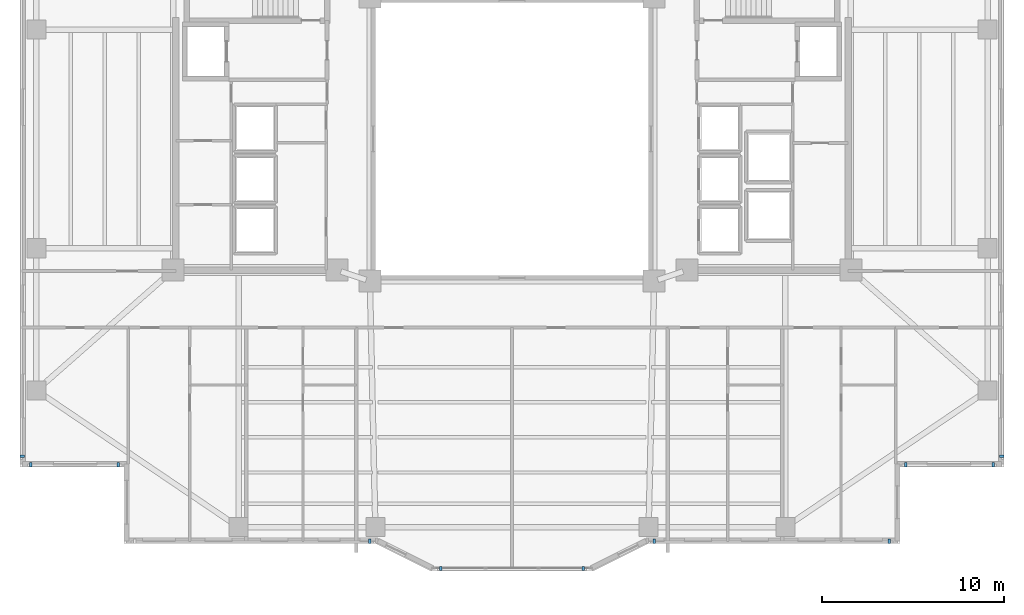
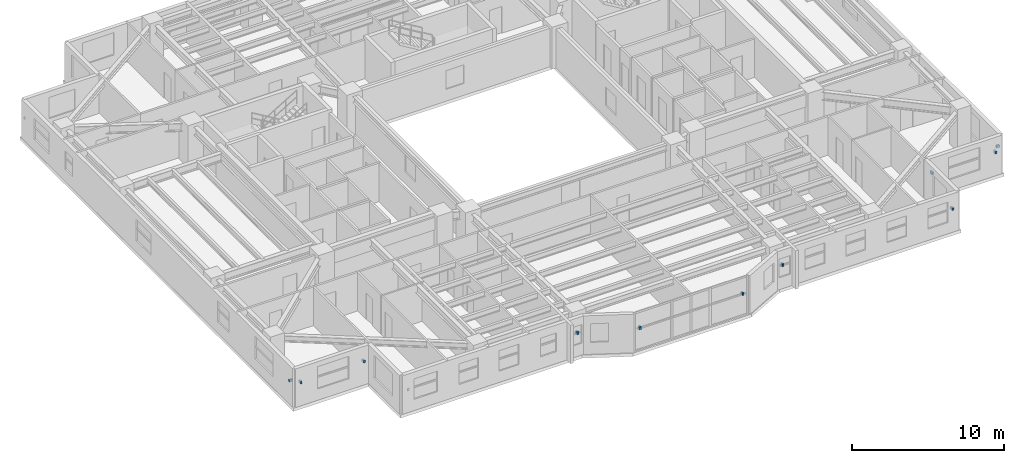
# One storey, part 12 of 18: 11 discrete accessories.
"""IFC4 building model written with IfcOpenShell, lengths in metres."""

from ifc_helpers import new_model, si_unit, direction, frame, origin, origin_2d, place, context, subcontext, project, spatial, rectangle, extrude, material, type_object, element, save


model = new_model("IFC4")

# Units and contexts
model_context = context("Model", 3, precision=1e-05, world=origin(), true_north=direction((0.0, 1.0)))
body_context = subcontext(model_context, "Body", "Model", "MODEL_VIEW")
ifc_project = project(units=[si_unit("LENGTHUNIT", "METRE"), si_unit("AREAUNIT", "SQUARE_METRE"), si_unit("VOLUMEUNIT", "CUBIC_METRE"), si_unit("PLANEANGLEUNIT", "RADIAN"), si_unit("MASSUNIT", "GRAM", prefix="KILO")], contexts=[model_context])

# Site, building, storey
site_placement = place(None, origin())
site = spatial("IfcSite", under=ifc_project, at=site_placement, CompositionType="ELEMENT")
building_placement = place(site_placement, origin())
building = spatial("IfcBuilding", under=site, at=building_placement, Name="Tarnavaz Court Tower", CompositionType="ELEMENT")
storey_placement = place(building_placement, frame((0.0, 0.0, 101.75)))
storey = spatial("IfcBuildingStorey", under=building, at=storey_placement, Name="L27", CompositionType="ELEMENT", Elevation=101.75)

# Discrete accessories
ifc_material = material(Name="Anodised Aluminium 6063-T6", Category="aluminium")
discrete_accessory_type = type_object("IfcDiscreteAccessoryType", Name="DA-BRKT-ALU", PredefinedType="BRACKET", material=ifc_material)
for number, where, z_axis, x_axis, name in (
    (1, (-21.60009765625, -17.8701171875, 1.75), (0.0, 0.0, 1.0), (-1.0, 0.0, 0.0), "L27 Baguette Outrigger Bracket FBG01-1"),
    (2, (-26.39990234375, -17.8701171875, 1.75), (0.0, 0.0, 1.0), (-1.0, 0.0, 0.0), "L27 Baguette Outrigger Bracket FBG01-2"),
    (3, (-26.8701171875, -17.39990234375, 1.75), (0.0, 0.0, 1.0), (0.0, 1.0, 0.0), "L27 Baguette Outrigger Bracket FBG02-1"),
    (4, (26.8701171875, -17.39990234375, 1.75), (0.0, 0.0, 1.0), (0.0, -1.0, 0.0), "L27 Baguette Outrigger Bracket FBG12-2"),
    (5, (26.39990234375, -17.8701171875, 1.75), (0.0, 0.0, 1.0), (-1.0, 0.0, 0.0), "L27 Baguette Outrigger Bracket FBG13-1"),
    (6, (21.60009765625, -17.8701171875, 1.75), (0.0, 0.0, 1.0), (-1.0, 0.0, 0.0), "L27 Baguette Outrigger Bracket FBG13-2"),
    (7, (20.699951171875, -22.070068359375, 1.75), (0.0, 0.0, 1.0), (-1.0, 0.0, 0.0), "L27 Baguette Outrigger Bracket FBG15-1"),
    (8, (7.800048828125, -22.070068359375, 1.75), (0.0, 0.0, 1.0), (-1.0, 0.0, 0.0), "L27 Baguette Outrigger Bracket FBG15-2"),
    (9, (3.89990234375, -23.570068359375, 1.7001953125), (0.0, 0.0, 1.0), (-1.0, 0.0, 0.0), "L27 Baguette Outrigger Bracket PBG17-1"),
    (10, (-3.89990234375, -23.570068359375, 1.7001953125), (0.0, 0.0, 1.0), (-1.0, 0.0, 0.0), "L27 Baguette Outrigger Bracket PBG17-2"),
    (11, (-7.800048828125, -22.070068359375, 1.75), (0.0, 0.0, 1.0), (-1.0, 0.0, 0.0), "L27 Baguette Outrigger Bracket FBG19-1"),
):
    element("IfcDiscreteAccessory", number, at=place(storey_placement, frame(where, z_axis=z_axis, x_axis=x_axis)), inside=storey, type_object=discrete_accessory_type, Name=name, PredefinedType="BRACKET", context=body_context, shape_type="SweptSolid", body=[
        extrude(rectangle(XDim=0.139892578125, YDim=0.239990234375, at=origin_2d()), origin(), (0.0, 0.0, 1.0), 0.199951171875),
    ])

save(model, "model.ifc")
